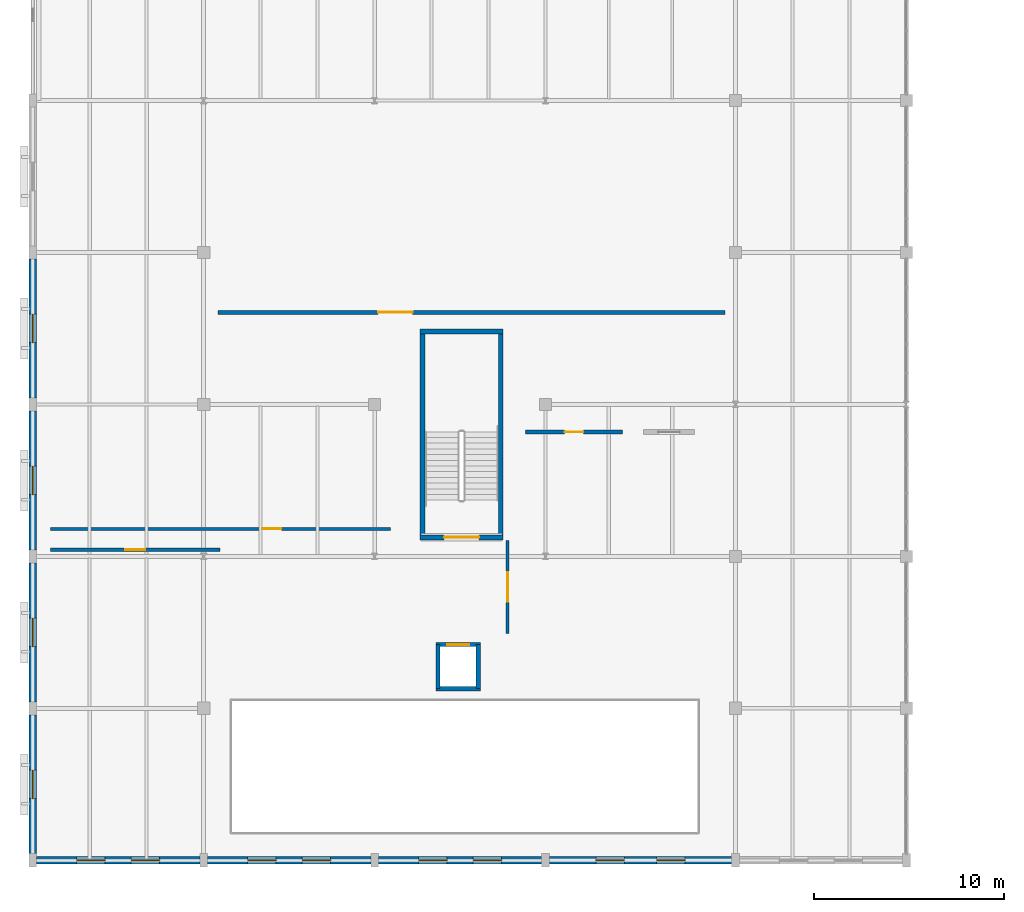
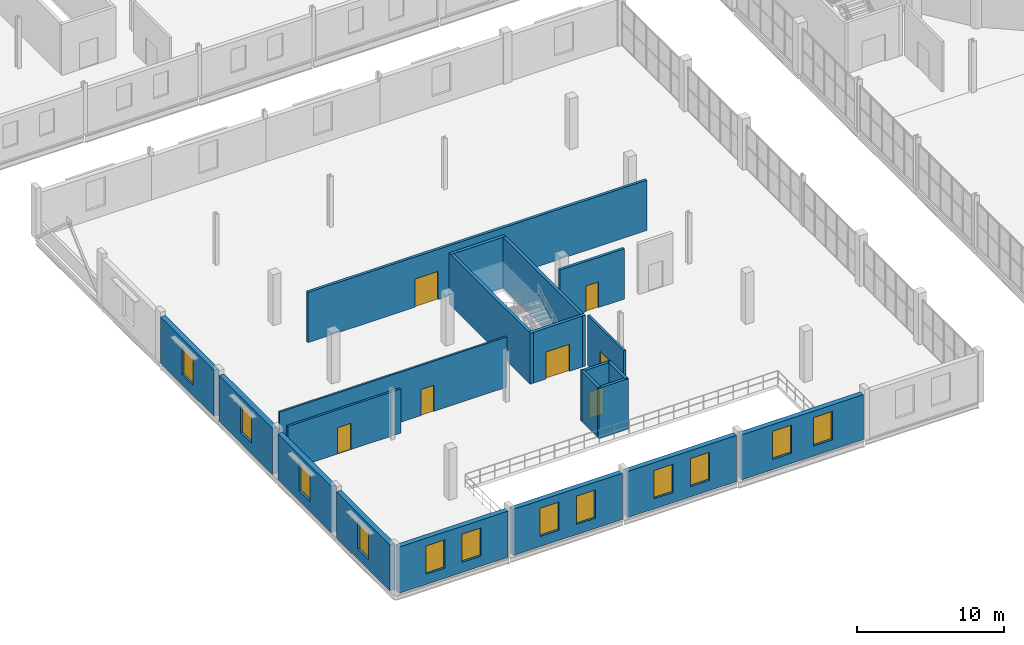
# One storey, part 61 of 85: 21 walls, 12 windows, 7 doors, 19 openings.
"""IFC4 building model written with IfcOpenShell, lengths in metres."""

from ifc_helpers import new_model, si_unit, direction, frame, frame_2d, origin, place, context, subcontext, project, spatial, rectangle, extrude, material, layer, layer_set, type_object, element, fill, save


model = new_model("IFC4")

# Units and contexts
model_context = context("Model", 3, precision=1e-05, world=origin(), true_north=direction((0.0, 1.0)))
body_context = subcontext(model_context, "Body", "Model", "MODEL_VIEW")
ifc_project = project(units=[si_unit("LENGTHUNIT", "METRE"), si_unit("AREAUNIT", "SQUARE_METRE"), si_unit("VOLUMEUNIT", "CUBIC_METRE"), si_unit("PLANEANGLEUNIT", "RADIAN"), si_unit("MASSUNIT", "GRAM", prefix="KILO")], contexts=[model_context])

# Site, building, storey
site_placement = place(None, origin())
site = spatial("IfcSite", under=ifc_project, at=site_placement, CompositionType="ELEMENT")
building_placement = place(site_placement, origin())
building = spatial("IfcBuilding", under=site, at=building_placement, Name="Marnock Terrace Opera House", CompositionType="ELEMENT")
storey_placement = place(building_placement, frame((0.0, 0.0, 10.199951171875)))
storey = spatial("IfcBuildingStorey", under=building, at=storey_placement, Name="L02", CompositionType="ELEMENT", Elevation=10.199951171875)

# Wall, openings, windows
ifc_material_1 = material(Name="Basket Range sandstone ashlar masonry", Category="masonry")
ifc_layer_1 = layer(ifc_material_1, 0.389892578125)
ifc_layer_set_1 = layer_set([ifc_layer_1], Name="Basket Range sandstone ashlar masonry")
wall_type_1 = type_object("IfcWallType", Name="EW-ASHLAR-390", PredefinedType="SOLIDWALL", material=ifc_layer_set_1)
wall_1_placement = place(storey_placement, frame((0.196044921875, 8.0, 0.0), z_axis=(0.0, 0.0, 1.0), x_axis=(1.0, 0.0, 0.0)))
wall_1 = element("IfcWall", 1, at=wall_1_placement, inside=storey, type_object=wall_type_1, Name="L02 Volume 3 south sandstone wall 1", PredefinedType="SOLIDWALL", context=body_context, shape_type="SweptSolid", body=[
    extrude(rectangle(XDim=8.60791015625, YDim=0.389892578125, at=frame_2d((4.303955078125, 0.0))), origin(), (0.0, 0.0, 1.0), 3.8515625),
])
opening_1_placement = place(wall_1_placement, frame((2.119384765625, 0.0, 0.85009765625)))
opening_1 = element("IfcOpeningElement", 2, at=opening_1_placement, cuts=wall_1, Name="Opening WT-84", PredefinedType="OPENING", context=body_context, shape_type="SweptSolid", body=[
    extrude(rectangle(XDim=1.5, YDim=2.35009765625, at=frame_2d((0.75, 1.175048828125))), frame((0.0, 0.204833984375, 0.0), z_axis=(0.0, -1.0, 0.0), x_axis=(1.0, 0.0, 0.0)), (0.0, 0.0, 1.0), 0.409912109375),
])
opening_2_placement = place(wall_1_placement, frame((4.98876953125, 0.0, 0.85009765625)))
opening_2 = element("IfcOpeningElement", 3, at=opening_2_placement, cuts=wall_1, Name="Opening WT-84", PredefinedType="OPENING", context=body_context, shape_type="SweptSolid", body=[
    extrude(rectangle(XDim=1.5, YDim=2.35009765625, at=frame_2d((0.75, 1.175048828125))), frame((0.0, 0.204833984375, 0.0), z_axis=(0.0, -1.0, 0.0), x_axis=(1.0, 0.0, 0.0)), (0.0, 0.0, 1.0), 0.409912109375),
])
ifc_material_2 = material(Name="Double-glazed acoustic low-E laminated glass", Category="glass")
window_type = type_object("IfcWindowType", Name="WT-SUITE-1500", PartitioningType="SINGLE_PANEL", PredefinedType="WINDOW", material=ifc_material_2)
window_1_placement = place(opening_1_placement, origin())
window_1 = element("IfcWindow", 4, at=window_1_placement, inside=storey, type_object=window_type, Name="L02 facade window EW-V3S-L02-1.1", OverallHeight=2.35009765625, OverallWidth=1.5, PartitioningType="SINGLE_PANEL", PredefinedType="WINDOW", context=body_context, shape_type="SweptSolid", body=[
    extrude(rectangle(XDim=1.5, YDim=2.35009765625, at=frame_2d((0.75, 1.175048828125))), frame((0.0, 0.030029296875, 0.0), z_axis=(0.0, -1.0, 0.0), x_axis=(1.0, 0.0, 0.0)), (0.0, 0.0, 1.0), 0.06005859375),
])
fill(opening_1, window_1)
window_2_placement = place(opening_2_placement, origin())
window_2 = element("IfcWindow", 5, at=window_2_placement, inside=storey, type_object=window_type, Name="L02 facade window EW-V3S-L02-1.2", OverallHeight=2.35009765625, OverallWidth=1.5, PartitioningType="SINGLE_PANEL", PredefinedType="WINDOW", context=body_context, shape_type="SweptSolid", body=[
    extrude(rectangle(XDim=1.5, YDim=2.35009765625, at=frame_2d((0.75, 1.175048828125))), frame((0.0, 0.030029296875, 0.0), z_axis=(0.0, -1.0, 0.0), x_axis=(1.0, 0.0, 0.0)), (0.0, 0.0, 1.0), 0.06005859375),
])
fill(opening_2, window_2)

wall_2_placement = place(storey_placement, frame((9.196044921875, 8.0, 0.0), z_axis=(0.0, 0.0, 1.0), x_axis=(1.0, 0.0, 0.0)))
wall_2 = element("IfcWall", 6, at=wall_2_placement, inside=storey, type_object=wall_type_1, Name="L02 Volume 3 south sandstone wall 2", PredefinedType="SOLIDWALL", context=body_context, shape_type="SweptSolid", body=[
    extrude(rectangle(XDim=8.60791015625, YDim=0.389892578125, at=frame_2d((4.303955078125, 0.0))), origin(), (0.0, 0.0, 1.0), 3.8515625),
])
opening_3_placement = place(wall_2_placement, frame((2.119384765625, 0.0, 0.85009765625)))
opening_3 = element("IfcOpeningElement", 7, at=opening_3_placement, cuts=wall_2, Name="Opening WT-84", PredefinedType="OPENING", context=body_context, shape_type="SweptSolid", body=[
    extrude(rectangle(XDim=1.5, YDim=2.35009765625, at=frame_2d((0.75, 1.175048828125))), frame((0.0, 0.204833984375, 0.0), z_axis=(0.0, -1.0, 0.0), x_axis=(1.0, 0.0, 0.0)), (0.0, 0.0, 1.0), 0.409912109375),
])
opening_4_placement = place(wall_2_placement, frame((4.98876953125, 0.0, 0.85009765625)))
opening_4 = element("IfcOpeningElement", 8, at=opening_4_placement, cuts=wall_2, Name="Opening WT-84", PredefinedType="OPENING", context=body_context, shape_type="SweptSolid", body=[
    extrude(rectangle(XDim=1.5, YDim=2.35009765625, at=frame_2d((0.75, 1.175048828125))), frame((0.0, 0.204833984375, 0.0), z_axis=(0.0, -1.0, 0.0), x_axis=(1.0, 0.0, 0.0)), (0.0, 0.0, 1.0), 0.409912109375),
])
window_3_placement = place(opening_3_placement, origin())
window_3 = element("IfcWindow", 9, at=window_3_placement, inside=storey, type_object=window_type, Name="L02 facade window EW-V3S-L02-2.1", OverallHeight=2.35009765625, OverallWidth=1.5, PartitioningType="SINGLE_PANEL", PredefinedType="WINDOW", context=body_context, shape_type="SweptSolid", body=[
    extrude(rectangle(XDim=1.5, YDim=2.35009765625, at=frame_2d((0.75, 1.175048828125))), frame((0.0, 0.030029296875, 0.0), z_axis=(0.0, -1.0, 0.0), x_axis=(1.0, 0.0, 0.0)), (0.0, 0.0, 1.0), 0.06005859375),
])
fill(opening_3, window_3)
window_4_placement = place(opening_4_placement, origin())
window_4 = element("IfcWindow", 10, at=window_4_placement, inside=storey, type_object=window_type, Name="L02 facade window EW-V3S-L02-2.2", OverallHeight=2.35009765625, OverallWidth=1.5, PartitioningType="SINGLE_PANEL", PredefinedType="WINDOW", context=body_context, shape_type="SweptSolid", body=[
    extrude(rectangle(XDim=1.5, YDim=2.35009765625, at=frame_2d((0.75, 1.175048828125))), frame((0.0, 0.030029296875, 0.0), z_axis=(0.0, -1.0, 0.0), x_axis=(1.0, 0.0, 0.0)), (0.0, 0.0, 1.0), 0.06005859375),
])
fill(opening_4, window_4)

wall_3_placement = place(storey_placement, frame((18.196044921875, 8.0, 0.0), z_axis=(0.0, 0.0, 1.0), x_axis=(1.0, 0.0, 0.0)))
wall_3 = element("IfcWall", 11, at=wall_3_placement, inside=storey, type_object=wall_type_1, Name="L02 Volume 3 south sandstone wall 3", PredefinedType="SOLIDWALL", context=body_context, shape_type="SweptSolid", body=[
    extrude(rectangle(XDim=8.60791015625, YDim=0.389892578125, at=frame_2d((4.303955078125, 0.0))), origin(), (0.0, 0.0, 1.0), 3.8515625),
])
opening_5_placement = place(wall_3_placement, frame((2.119384765625, 0.0, 0.85009765625)))
opening_5 = element("IfcOpeningElement", 12, at=opening_5_placement, cuts=wall_3, Name="Opening WT-84", PredefinedType="OPENING", context=body_context, shape_type="SweptSolid", body=[
    extrude(rectangle(XDim=1.5, YDim=2.35009765625, at=frame_2d((0.75, 1.175048828125))), frame((0.0, 0.204833984375, 0.0), z_axis=(0.0, -1.0, 0.0), x_axis=(1.0, 0.0, 0.0)), (0.0, 0.0, 1.0), 0.409912109375),
])
opening_6_placement = place(wall_3_placement, frame((4.98876953125, 0.0, 0.85009765625)))
opening_6 = element("IfcOpeningElement", 13, at=opening_6_placement, cuts=wall_3, Name="Opening WT-84", PredefinedType="OPENING", context=body_context, shape_type="SweptSolid", body=[
    extrude(rectangle(XDim=1.5, YDim=2.35009765625, at=frame_2d((0.75, 1.175048828125))), frame((0.0, 0.204833984375, 0.0), z_axis=(0.0, -1.0, 0.0), x_axis=(1.0, 0.0, 0.0)), (0.0, 0.0, 1.0), 0.409912109375),
])
window_5_placement = place(opening_5_placement, origin())
window_5 = element("IfcWindow", 14, at=window_5_placement, inside=storey, type_object=window_type, Name="L02 facade window EW-V3S-L02-3.1", OverallHeight=2.35009765625, OverallWidth=1.5, PartitioningType="SINGLE_PANEL", PredefinedType="WINDOW", context=body_context, shape_type="SweptSolid", body=[
    extrude(rectangle(XDim=1.5, YDim=2.35009765625, at=frame_2d((0.75, 1.175048828125))), frame((0.0, 0.030029296875, 0.0), z_axis=(0.0, -1.0, 0.0), x_axis=(1.0, 0.0, 0.0)), (0.0, 0.0, 1.0), 0.06005859375),
])
fill(opening_5, window_5)
window_6_placement = place(opening_6_placement, origin())
window_6 = element("IfcWindow", 15, at=window_6_placement, inside=storey, type_object=window_type, Name="L02 facade window EW-V3S-L02-3.2", OverallHeight=2.35009765625, OverallWidth=1.5, PartitioningType="SINGLE_PANEL", PredefinedType="WINDOW", context=body_context, shape_type="SweptSolid", body=[
    extrude(rectangle(XDim=1.5, YDim=2.35009765625, at=frame_2d((0.75, 1.175048828125))), frame((0.0, 0.030029296875, 0.0), z_axis=(0.0, -1.0, 0.0), x_axis=(1.0, 0.0, 0.0)), (0.0, 0.0, 1.0), 0.06005859375),
])
fill(opening_6, window_6)

wall_4_placement = place(storey_placement, frame((27.196044921875, 8.0, 0.0), z_axis=(0.0, 0.0, 1.0), x_axis=(1.0, 0.0, 0.0)))
wall_4 = element("IfcWall", 16, at=wall_4_placement, inside=storey, type_object=wall_type_1, Name="L02 Volume 3 south sandstone wall 4", PredefinedType="SOLIDWALL", context=body_context, shape_type="SweptSolid", body=[
    extrude(rectangle(XDim=9.60791015625, YDim=0.389892578125, at=frame_2d((4.803955078125, 0.0))), origin(), (0.0, 0.0, 1.0), 3.749755859375),
])
opening_7_placement = place(wall_4_placement, frame((2.45263671875, 0.0, 0.85009765625)))
opening_7 = element("IfcOpeningElement", 17, at=opening_7_placement, cuts=wall_4, Name="Opening WT-84", PredefinedType="OPENING", context=body_context, shape_type="SweptSolid", body=[
    extrude(rectangle(XDim=1.5, YDim=2.35009765625, at=frame_2d((0.75, 1.175048828125))), frame((0.0, 0.204833984375, 0.0), z_axis=(0.0, -1.0, 0.0), x_axis=(1.0, 0.0, 0.0)), (0.0, 0.0, 1.0), 0.409912109375),
])
opening_8_placement = place(wall_4_placement, frame((5.6552734375, 0.0, 0.85009765625)))
opening_8 = element("IfcOpeningElement", 18, at=opening_8_placement, cuts=wall_4, Name="Opening WT-84", PredefinedType="OPENING", context=body_context, shape_type="SweptSolid", body=[
    extrude(rectangle(XDim=1.5, YDim=2.35009765625, at=frame_2d((0.75, 1.175048828125))), frame((0.0, 0.204833984375, 0.0), z_axis=(0.0, -1.0, 0.0), x_axis=(1.0, 0.0, 0.0)), (0.0, 0.0, 1.0), 0.409912109375),
])
window_7_placement = place(opening_7_placement, origin())
window_7 = element("IfcWindow", 19, at=window_7_placement, inside=storey, type_object=window_type, Name="L02 facade window EW-V3S-L02-4.1", OverallHeight=2.35009765625, OverallWidth=1.5, PartitioningType="SINGLE_PANEL", PredefinedType="WINDOW", context=body_context, shape_type="SweptSolid", body=[
    extrude(rectangle(XDim=1.5, YDim=2.35009765625, at=frame_2d((0.75, 1.175048828125))), frame((0.0, 0.030029296875, 0.0), z_axis=(0.0, -1.0, 0.0), x_axis=(1.0, 0.0, 0.0)), (0.0, 0.0, 1.0), 0.06005859375),
])
fill(opening_7, window_7)
window_8_placement = place(opening_8_placement, origin())
window_8 = element("IfcWindow", 20, at=window_8_placement, inside=storey, type_object=window_type, Name="L02 facade window EW-V3S-L02-4.2", OverallHeight=2.35009765625, OverallWidth=1.5, PartitioningType="SINGLE_PANEL", PredefinedType="WINDOW", context=body_context, shape_type="SweptSolid", body=[
    extrude(rectangle(XDim=1.5, YDim=2.35009765625, at=frame_2d((0.75, 1.175048828125))), frame((0.0, 0.030029296875, 0.0), z_axis=(0.0, -1.0, 0.0), x_axis=(1.0, 0.0, 0.0)), (0.0, 0.0, 1.0), 0.06005859375),
])
fill(opening_8, window_8)

# Wall, opening, window
wall_5_placement = place(storey_placement, frame((0.0, 8.345947265625, 0.0), z_axis=(0.0, 0.0, 1.0), x_axis=(0.0, 1.0, 0.0)))
wall_5 = element("IfcWall", 21, at=wall_5_placement, inside=storey, type_object=wall_type_1, Name="L02 Volume 3 west sandstone wall 1", PredefinedType="SOLIDWALL", context=body_context, shape_type="SweptSolid", body=[
    extrude(rectangle(XDim=7.30810546875, YDim=0.389892578125, at=frame_2d((3.654052734375, 0.0))), origin(), (0.0, 0.0, 1.0), 3.8515625),
])
opening_9_placement = place(wall_5_placement, frame((2.904052734375, 0.0, 0.85009765625)))
opening_9 = element("IfcOpeningElement", 22, at=opening_9_placement, cuts=wall_5, Name="Opening WT-84", PredefinedType="OPENING", context=body_context, shape_type="SweptSolid", body=[
    extrude(rectangle(XDim=1.5, YDim=2.35009765625, at=frame_2d((0.75, 1.175048828125))), frame((0.0, 0.204833984375, 0.0), z_axis=(0.0, -1.0, 0.0), x_axis=(1.0, 0.0, 0.0)), (0.0, 0.0, 1.0), 0.409912109375),
])
window_9_placement = place(opening_9_placement, origin())
window_9 = element("IfcWindow", 23, at=window_9_placement, inside=storey, type_object=window_type, Name="L02 facade window EW-V3W-L02-1.1", OverallHeight=2.35009765625, OverallWidth=1.5, PartitioningType="SINGLE_PANEL", PredefinedType="WINDOW", context=body_context, shape_type="SweptSolid", body=[
    extrude(rectangle(XDim=1.5, YDim=2.35009765625, at=frame_2d((0.75, 1.175048828125))), frame((0.0, 0.030029296875, 0.0), z_axis=(0.0, -1.0, 0.0), x_axis=(1.0, 0.0, 0.0)), (0.0, 0.0, 1.0), 0.06005859375),
])
fill(opening_9, window_9)

wall_6_placement = place(storey_placement, frame((0.0, 16.345947265625, 0.0), z_axis=(0.0, 0.0, 1.0), x_axis=(0.0, 1.0, 0.0)))
wall_6 = element("IfcWall", 24, at=wall_6_placement, inside=storey, type_object=wall_type_1, Name="L02 Volume 3 west sandstone wall 2", PredefinedType="SOLIDWALL", context=body_context, shape_type="SweptSolid", body=[
    extrude(rectangle(XDim=7.30810546875, YDim=0.389892578125, at=frame_2d((3.654052734375, 0.0))), origin(), (0.0, 0.0, 1.0), 3.8515625),
])
opening_10_placement = place(wall_6_placement, frame((2.904052734375, 0.0, 0.85009765625)))
opening_10 = element("IfcOpeningElement", 25, at=opening_10_placement, cuts=wall_6, Name="Opening WT-84", PredefinedType="OPENING", context=body_context, shape_type="SweptSolid", body=[
    extrude(rectangle(XDim=1.5, YDim=2.35009765625, at=frame_2d((0.75, 1.175048828125))), frame((0.0, 0.204833984375, 0.0), z_axis=(0.0, -1.0, 0.0), x_axis=(1.0, 0.0, 0.0)), (0.0, 0.0, 1.0), 0.409912109375),
])
window_10_placement = place(opening_10_placement, origin())
window_10 = element("IfcWindow", 26, at=window_10_placement, inside=storey, type_object=window_type, Name="L02 facade window EW-V3W-L02-2.1", OverallHeight=2.35009765625, OverallWidth=1.5, PartitioningType="SINGLE_PANEL", PredefinedType="WINDOW", context=body_context, shape_type="SweptSolid", body=[
    extrude(rectangle(XDim=1.5, YDim=2.35009765625, at=frame_2d((0.75, 1.175048828125))), frame((0.0, 0.030029296875, 0.0), z_axis=(0.0, -1.0, 0.0), x_axis=(1.0, 0.0, 0.0)), (0.0, 0.0, 1.0), 0.06005859375),
])
fill(opening_10, window_10)

wall_7_placement = place(storey_placement, frame((0.0, 24.345947265625, 0.0), z_axis=(0.0, 0.0, 1.0), x_axis=(0.0, 1.0, 0.0)))
wall_7 = element("IfcWall", 27, at=wall_7_placement, inside=storey, type_object=wall_type_1, Name="L02 Volume 3 west sandstone wall 3", PredefinedType="SOLIDWALL", context=body_context, shape_type="SweptSolid", body=[
    extrude(rectangle(XDim=7.30810546875, YDim=0.389892578125, at=frame_2d((3.654052734375, 0.0))), origin(), (0.0, 0.0, 1.0), 3.8515625),
])
opening_11_placement = place(wall_7_placement, frame((2.904052734375, 0.0, 0.85009765625)))
opening_11 = element("IfcOpeningElement", 28, at=opening_11_placement, cuts=wall_7, Name="Opening WT-84", PredefinedType="OPENING", context=body_context, shape_type="SweptSolid", body=[
    extrude(rectangle(XDim=1.5, YDim=2.35009765625, at=frame_2d((0.75, 1.175048828125))), frame((0.0, 0.204833984375, 0.0), z_axis=(0.0, -1.0, 0.0), x_axis=(1.0, 0.0, 0.0)), (0.0, 0.0, 1.0), 0.409912109375),
])
window_11_placement = place(opening_11_placement, origin())
window_11 = element("IfcWindow", 29, at=window_11_placement, inside=storey, type_object=window_type, Name="L02 facade window EW-V3W-L02-3.1", OverallHeight=2.35009765625, OverallWidth=1.5, PartitioningType="SINGLE_PANEL", PredefinedType="WINDOW", context=body_context, shape_type="SweptSolid", body=[
    extrude(rectangle(XDim=1.5, YDim=2.35009765625, at=frame_2d((0.75, 1.175048828125))), frame((0.0, 0.030029296875, 0.0), z_axis=(0.0, -1.0, 0.0), x_axis=(1.0, 0.0, 0.0)), (0.0, 0.0, 1.0), 0.06005859375),
])
fill(opening_11, window_11)

wall_8_placement = place(storey_placement, frame((0.0, 32.345947265625, 0.0), z_axis=(0.0, 0.0, 1.0), x_axis=(0.0, 1.0, 0.0)))
wall_8 = element("IfcWall", 30, at=wall_8_placement, inside=storey, type_object=wall_type_1, Name="L02 Volume 3 west sandstone wall 4", PredefinedType="SOLIDWALL", context=body_context, shape_type="SweptSolid", body=[
    extrude(rectangle(XDim=7.30810546875, YDim=0.389892578125, at=frame_2d((3.654052734375, 0.0))), origin(), (0.0, 0.0, 1.0), 3.8515625),
])
opening_12_placement = place(wall_8_placement, frame((2.904052734375, 0.0, 0.85009765625)))
opening_12 = element("IfcOpeningElement", 31, at=opening_12_placement, cuts=wall_8, Name="Opening WT-84", PredefinedType="OPENING", context=body_context, shape_type="SweptSolid", body=[
    extrude(rectangle(XDim=1.5, YDim=2.35009765625, at=frame_2d((0.75, 1.175048828125))), frame((0.0, 0.204833984375, 0.0), z_axis=(0.0, -1.0, 0.0), x_axis=(1.0, 0.0, 0.0)), (0.0, 0.0, 1.0), 0.409912109375),
])
window_12_placement = place(opening_12_placement, origin())
window_12 = element("IfcWindow", 32, at=window_12_placement, inside=storey, type_object=window_type, Name="L02 facade window EW-V3W-L02-4.1", OverallHeight=2.35009765625, OverallWidth=1.5, PartitioningType="SINGLE_PANEL", PredefinedType="WINDOW", context=body_context, shape_type="SweptSolid", body=[
    extrude(rectangle(XDim=1.5, YDim=2.35009765625, at=frame_2d((0.75, 1.175048828125))), frame((0.0, 0.030029296875, 0.0), z_axis=(0.0, -1.0, 0.0), x_axis=(1.0, 0.0, 0.0)), (0.0, 0.0, 1.0), 0.06005859375),
])
fill(opening_12, window_12)

# Wall, opening, door
ifc_material_3 = material(Name="Double-stud acoustic plasterboard with mineral-wool infill")
ifc_layer_2 = layer(ifc_material_3, 0.2099609375)
ifc_layer_set_2 = layer_set([ifc_layer_2], Name="Double-stud acoustic plasterboard with mineral-wool infill")
wall_type_2 = type_object("IfcWallType", Name="IW-ACOUSTIC-210", PredefinedType="PARTITIONING", material=ifc_layer_set_2)
wall_9_placement = place(storey_placement, frame((9.75, 36.85009765625, 0.0), z_axis=(0.0, 0.0, 1.0), x_axis=(1.0, 0.0, 0.0)))
wall_9 = element("IfcWall", 33, at=wall_9_placement, inside=storey, type_object=wall_type_2, Name="L02 Chorus Rehearsal Room acoustic partition wall", PredefinedType="PARTITIONING", context=body_context, shape_type="SweptSolid", body=[
    extrude(rectangle(XDim=26.699951171875, YDim=0.2099609375, at=frame_2d((13.35009765625, 0.0))), origin(), (0.0, 0.0, 1.0), 4.18994140625),
])
opening_13_placement = place(wall_9_placement, frame((8.43505859375, 0.0, 0.0)))
opening_13 = element("IfcOpeningElement", 34, at=opening_13_placement, cuts=wall_9, Name="Opening D-L02-10", PredefinedType="OPENING", context=body_context, shape_type="SweptSolid", body=[
    extrude(rectangle(XDim=1.820068359375, YDim=2.35009765625, at=frame_2d((0.91015625, 1.175048828125))), frame((0.0, 0.114990234375, 0.0), z_axis=(0.0, -1.0, 0.0), x_axis=(1.0, 0.0, 0.0)), (0.0, 0.0, 1.0), 0.22998046875),
])
ifc_material_4 = material(Name="Solid-core Tasmanian oak acoustic door leaf")
door_type_1 = type_object("IfcDoorType", Name="DT-REHEARS-1820", OperationType="NOTDEFINED", PredefinedType="DOOR", material=ifc_material_4)
door_1_placement = place(opening_13_placement, origin())
door_1 = element("IfcDoor", 35, at=door_1_placement, inside=storey, type_object=door_type_1, Name="L02 Chorus Rehearsal Room entrance door", OperationType="DOUBLE_DOOR_SINGLE_SWING", OverallHeight=2.35009765625, OverallWidth=1.820068359375, PredefinedType="DOOR", context=body_context, shape_type="SweptSolid", body=[
    extrude(rectangle(XDim=1.820068359375, YDim=2.35009765625, at=frame_2d((0.91015625, 1.175048828125))), frame((0.0, 0.02490234375, 0.0), z_axis=(0.0, -1.0, 0.0), x_axis=(1.0, 0.0, 0.0)), (0.0, 0.0, 1.0), 0.050048828125),
])
fill(opening_13, door_1)

ifc_material_5 = material(Name="Rendered acoustic concrete blockwork", Category="masonry")
ifc_layer_3 = layer(ifc_material_5, 0.175048828125)
ifc_layer_set_3 = layer_set([ifc_layer_3], Name="Rendered acoustic concrete blockwork")
wall_type_3 = type_object("IfcWallType", Name="IW-FIRE-175", PredefinedType="PARTITIONING", material=ifc_layer_set_3)
wall_10_placement = place(storey_placement, frame((25.0, 19.949951171875, 0.0), z_axis=(0.0, 0.0, 1.0), x_axis=(0.0, 1.0, 0.0)))
wall_10 = element("IfcWall", 36, at=wall_10_placement, inside=storey, type_object=wall_type_3, Name="L02 C5 fire-rated lift and stair lobby wall", PredefinedType="PARTITIONING", context=body_context, shape_type="SweptSolid", body=[
    extrude(rectangle(XDim=4.900146484375, YDim=0.175048828125, at=frame_2d((2.4501953125, 0.0))), origin(), (0.0, 0.0, 1.0), 4.18994140625),
])
opening_14_placement = place(wall_10_placement, frame((1.675048828125, 0.0, 0.0)))
opening_14 = element("IfcOpeningElement", 37, at=opening_14_placement, cuts=wall_10, Name="Opening FD-C5-L02", PredefinedType="OPENING", context=body_context, shape_type="SweptSolid", body=[
    extrude(rectangle(XDim=1.550048828125, YDim=2.219970703125, at=frame_2d((0.77490234375, 1.10986328125))), frame((0.0, 0.097412109375, 0.0), z_axis=(0.0, -1.0, 0.0), x_axis=(1.0, 0.0, 0.0)), (0.0, 0.0, 1.0), 0.195068359375),
])
ifc_material_6 = material(Name="Fire-rated acoustic timber-core door assembly", Category="wood")
door_type_2 = type_object("IfcDoorType", Name="DT-LOBBY-1550", OperationType="NOTDEFINED", PredefinedType="DOOR", material=ifc_material_6)
door_2_placement = place(opening_14_placement, origin())
door_2 = element("IfcDoor", 38, at=door_2_placement, inside=storey, type_object=door_type_2, Name="L02 C5 lobby self-closing smoke door", OperationType="SINGLE_SWING_RIGHT", OverallHeight=2.219970703125, OverallWidth=1.550048828125, PredefinedType="DOOR", context=body_context, shape_type="SweptSolid", body=[
    extrude(rectangle(XDim=1.550048828125, YDim=2.219970703125, at=frame_2d((0.77490234375, 1.10986328125))), frame((0.0, 0.02490234375, 0.0), z_axis=(0.0, -1.0, 0.0), x_axis=(1.0, 0.0, 0.0)), (0.0, 0.0, 1.0), 0.050048828125),
])
fill(opening_14, door_2)

ifc_material_7 = material(Name="Motorised aluminium-framed acoustic operable partition", Category="aluminium")
ifc_layer_4 = layer(ifc_material_7, 0.152099609375)
ifc_layer_set_4 = layer_set([ifc_layer_4], Name="Motorised aluminium-framed acoustic operable partition")
wall_type_4 = type_object("IfcWallType", Name="IW-MOVABLE-152", PredefinedType="MOVABLE", material=ifc_layer_set_4)
wall_11_placement = place(storey_placement, frame((0.949951171875, 25.449951171875, 0.0), z_axis=(0.0, 0.0, 1.0), x_axis=(1.0, 0.0, 0.0)))
wall_11 = element("IfcWall", 39, at=wall_11_placement, inside=storey, type_object=wall_type_4, Name="L02 Vocal Coaching Room 02 acoustic partition wall", PredefinedType="MOVABLE", context=body_context, shape_type="SweptSolid", body=[
    extrude(rectangle(XDim=17.900146484375, YDim=0.152099609375, at=frame_2d((8.9501953125, 0.0))), origin(), (0.0, 0.0, 1.0), 4.18994140625),
])
opening_15_placement = place(wall_11_placement, frame((11.125, 0.0, 0.0)))
opening_15 = element("IfcOpeningElement", 40, at=opening_15_placement, cuts=wall_11, Name="Opening D-L02-12", PredefinedType="OPENING", context=body_context, shape_type="SweptSolid", body=[
    extrude(rectangle(XDim=1.02001953125, YDim=2.179931640625, at=frame_2d((0.510009765625, 1.08984375))), frame((0.0, 0.0859375, 0.0), z_axis=(0.0, -1.0, 0.0), x_axis=(1.0, 0.0, 0.0)), (0.0, 0.0, 1.0), 0.172119140625),
])
door_type_3 = type_object("IfcDoorType", Name="DT-SUITE-1020", OperationType="NOTDEFINED", PredefinedType="DOOR", material=ifc_material_4)
door_3_placement = place(opening_15_placement, origin())
door_3 = element("IfcDoor", 41, at=door_3_placement, inside=storey, type_object=door_type_3, Name="L02 Vocal Coaching Room 02 entrance door", OperationType="SINGLE_SWING_RIGHT", OverallHeight=2.179931640625, OverallWidth=1.02001953125, PredefinedType="DOOR", context=body_context, shape_type="SweptSolid", body=[
    extrude(rectangle(XDim=1.02001953125, YDim=2.179931640625, at=frame_2d((0.510009765625, 1.08984375))), frame((0.0, 0.02490234375, 0.0), z_axis=(0.0, -1.0, 0.0), x_axis=(1.0, 0.0, 0.0)), (0.0, 0.0, 1.0), 0.050048828125),
])
fill(opening_15, door_3)

ifc_layer_5 = layer(ifc_material_7, 0.169921875)
ifc_layer_set_5 = layer_set([ifc_layer_5], Name="Motorised aluminium-framed acoustic operable partition")
wall_type_5 = type_object("IfcWallType", Name="IW-MOVABLE-170", PredefinedType="MOVABLE", material=ifc_layer_set_5)
wall_12_placement = place(storey_placement, frame((0.949951171875, 24.35009765625, 0.0), z_axis=(0.0, 0.0, 1.0), x_axis=(1.0, 0.0, 0.0)))
wall_12 = element("IfcWall", 42, at=wall_12_placement, inside=storey, type_object=wall_type_5, Name="L02 Vocal Coaching Room 01 acoustic partition wall", PredefinedType="MOVABLE", context=body_context, shape_type="SweptSolid", body=[
    extrude(rectangle(XDim=8.900146484375, YDim=0.169921875, at=frame_2d((4.4501953125, 0.0))), origin(), (0.0, 0.0, 1.0), 3.677001953125),
])
opening_16_placement = place(wall_12_placement, frame((3.919921875, 0.0, 0.0)))
opening_16 = element("IfcOpeningElement", 43, at=opening_16_placement, cuts=wall_12, Name="Opening D-L02-11", PredefinedType="OPENING", context=body_context, shape_type="SweptSolid", body=[
    extrude(rectangle(XDim=1.06005859375, YDim=2.199951171875, at=frame_2d((0.530029296875, 1.10009765625))), frame((0.0, 0.094970703125, 0.0), z_axis=(0.0, -1.0, 0.0), x_axis=(1.0, 0.0, 0.0)), (0.0, 0.0, 1.0), 0.18994140625),
])
door_type_4 = type_object("IfcDoorType", Name="DT-SUITE-1060", OperationType="NOTDEFINED", PredefinedType="DOOR", material=ifc_material_4)
door_4_placement = place(opening_16_placement, origin())
door_4 = element("IfcDoor", 44, at=door_4_placement, inside=storey, type_object=door_type_4, Name="L02 Vocal Coaching Room 01 entrance door", OperationType="SINGLE_SWING_LEFT", OverallHeight=2.199951171875, OverallWidth=1.06005859375, PredefinedType="DOOR", context=body_context, shape_type="SweptSolid", body=[
    extrude(rectangle(XDim=1.06005859375, YDim=2.199951171875, at=frame_2d((0.530029296875, 1.10009765625))), frame((0.0, 0.02490234375, 0.0), z_axis=(0.0, -1.0, 0.0), x_axis=(1.0, 0.0, 0.0)), (0.0, 0.0, 1.0), 0.050048828125),
])
fill(opening_16, door_4)

ifc_material_8 = material(Name="Moisture-resistant tiled service duct framing")
ifc_layer_6 = layer(ifc_material_8, 0.205078125)
ifc_layer_set_6 = layer_set([ifc_layer_6], Name="Moisture-resistant tiled service duct framing")
wall_type_6 = type_object("IfcWallType", Name="IW-PLUMB-205", PredefinedType="PLUMBINGWALL", material=ifc_layer_set_6)
wall_13_placement = place(storey_placement, frame((25.949951171875, 30.550048828125, 0.0), z_axis=(0.0, 0.0, 1.0), x_axis=(1.0, 0.0, 0.0)))
wall_13 = element("IfcWall", 45, at=wall_13_placement, inside=storey, type_object=wall_type_6, Name="L02 Public WC L02 West acoustic partition wall", PredefinedType="PLUMBINGWALL", context=body_context, shape_type="SweptSolid", body=[
    extrude(rectangle(XDim=5.10009765625, YDim=0.205078125, at=frame_2d((2.550048828125, 0.0))), origin(), (0.0, 0.0, 1.0), 4.18994140625),
])
opening_17_placement = place(wall_13_placement, frame((2.06005859375, 0.0, 0.0)))
opening_17 = element("IfcOpeningElement", 46, at=opening_17_placement, cuts=wall_13, Name="Opening D-L02-24", PredefinedType="OPENING", context=body_context, shape_type="SweptSolid", body=[
    extrude(rectangle(XDim=0.97998046875, YDim=2.139892578125, at=frame_2d((0.489990234375, 1.06982421875))), frame((0.0, 0.112548828125, 0.0), z_axis=(0.0, -1.0, 0.0), x_axis=(1.0, 0.0, 0.0)), (0.0, 0.0, 1.0), 0.22509765625),
])
door_type_5 = type_object("IfcDoorType", Name="DT-WC-980", OperationType="NOTDEFINED", PredefinedType="DOOR", material=ifc_material_4)
door_5_placement = place(opening_17_placement, origin())
door_5 = element("IfcDoor", 47, at=door_5_placement, inside=storey, type_object=door_type_5, Name="L02 Public WC L02 West entrance door", OperationType="SINGLE_SWING_RIGHT", OverallHeight=2.139892578125, OverallWidth=0.97998046875, PredefinedType="DOOR", context=body_context, shape_type="SweptSolid", body=[
    extrude(rectangle(XDim=0.97998046875, YDim=2.139892578125, at=frame_2d((0.489990234375, 1.06982421875))), frame((0.0, 0.02490234375, 0.0), z_axis=(0.0, -1.0, 0.0), x_axis=(1.0, 0.0, 0.0)), (0.0, 0.0, 1.0), 0.050048828125),
])
fill(opening_17, door_5)

ifc_layer_7 = layer(ifc_material_5, 0.22509765625)
ifc_layer_set_7 = layer_set([ifc_layer_7], Name="Rendered acoustic concrete blockwork")
wall_type_7 = type_object("IfcWallType", Name="IW-SHAFT-225", PredefinedType="SOLIDWALL", material=ifc_layer_set_7)
wall_14_placement = place(storey_placement, frame((21.2275390625, 19.360107421875, 0.0), z_axis=(0.0, 0.0, 1.0), x_axis=(1.0, 0.0, 0.0)))
wall_14 = element("IfcWall", 48, at=wall_14_placement, inside=storey, type_object=wall_type_7, Name="L02 Lift PL-05 front shaft wall", PredefinedType="SOLIDWALL", context=body_context, shape_type="SweptSolid", body=[
    extrude(rectangle(XDim=2.344970703125, YDim=0.22509765625, at=frame_2d((1.17236328125, 0.0))), origin(), (0.0, 0.0, 1.0), 4.18994140625),
])
opening_18_placement = place(wall_14_placement, frame((0.597412109375, 0.0, 0.0)))
opening_18 = element("IfcOpeningElement", 49, at=opening_18_placement, cuts=wall_14, Name="Opening LD-PL-05-L02", PredefinedType="OPENING", context=body_context, shape_type="SweptSolid", body=[
    extrude(rectangle(XDim=1.14990234375, YDim=2.199951171875, at=frame_2d((0.574951171875, 1.10009765625))), frame((0.0, 0.12255859375, 0.0), z_axis=(0.0, -1.0, 0.0), x_axis=(1.0, 0.0, 0.0)), (0.0, 0.0, 1.0), 0.2451171875),
])
ifc_material_9 = material(Name="Brushed stainless steel landing door assembly", Category="steel")
door_type_6 = type_object("IfcDoorType", Name="DT-LIFT-1150", OperationType="NOTDEFINED", PredefinedType="DOOR", material=ifc_material_9)
door_6_placement = place(opening_18_placement, origin())
door_6 = element("IfcDoor", 50, at=door_6_placement, inside=storey, type_object=door_type_6, Name="L02 Lift PL-05 sliding landing door", OperationType="DOUBLE_DOOR_SLIDING", OverallHeight=2.199951171875, OverallWidth=1.14990234375, PredefinedType="DOOR", context=body_context, shape_type="SweptSolid", body=[
    extrude(rectangle(XDim=1.14990234375, YDim=2.199951171875, at=frame_2d((0.574951171875, 1.10009765625))), frame((0.0, 0.02490234375, 0.0), z_axis=(0.0, -1.0, 0.0), x_axis=(1.0, 0.0, 0.0)), (0.0, 0.0, 1.0), 0.050048828125),
])
fill(opening_18, door_6)

# Walls
wall_15_placement = place(storey_placement, frame((21.2275390625, 17.0400390625, 0.0), z_axis=(0.0, 0.0, 1.0), x_axis=(1.0, 0.0, 0.0)))
element("IfcWall", 51, at=wall_15_placement, inside=storey, type_object=wall_type_7, Name="L02 Lift PL-05 rear shaft wall", PredefinedType="SOLIDWALL", context=body_context, shape_type="SweptSolid", body=[
    extrude(rectangle(XDim=2.344970703125, YDim=0.22509765625, at=frame_2d((1.17236328125, 0.0))), origin(), (0.0, 0.0, 1.0), 4.18994140625),
])
for number, where, z_axis, x_axis, name in (
    (52, (21.340087890625, 17.0400390625, 0.0), (0.0, 0.0, 1.0), (0.0, 1.0, 0.0), "L02 Lift PL-05 west shaft wall"),
    (53, (23.4599609375, 17.0400390625, 0.0), (0.0, 0.0, 1.0), (0.0, 1.0, 0.0), "L02 Lift PL-05 east shaft wall"),
):
    element("IfcWall", number, at=place(storey_placement, frame(where, z_axis=z_axis, x_axis=x_axis)), inside=storey, type_object=wall_type_7, Name=name, PredefinedType="SOLIDWALL", context=body_context, shape_type="SweptSolid", body=[
        extrude(rectangle(XDim=2.320068359375, YDim=0.22509765625, at=frame_2d((1.16015625, 0.0))), origin(), (0.0, 0.0, 1.0), 4.18994140625),
    ])

# Wall, opening, door
ifc_material_10 = material(Name="Concrete N40 (f'c = 40 MPa)", Category="concrete")
ifc_layer_8 = layer(ifc_material_10, 0.25)
ifc_layer_set_8 = layer_set([ifc_layer_8], Name="Concrete N40 (f'c = 40 MPa)")
wall_type_8 = type_object("IfcWallType", Name="SW-CORE-250", PredefinedType="SHEAR", material=ifc_layer_set_8)
wall_16_placement = place(storey_placement, frame((20.39501953125, 25.0, 0.0), z_axis=(0.0, 0.0, 1.0), x_axis=(1.0, 0.0, 0.0)))
wall_16 = element("IfcWall", 54, at=wall_16_placement, inside=storey, type_object=wall_type_8, Name="L02 Core C5 FRL 120/120/120 shear wall S", PredefinedType="SHEAR", context=body_context, shape_type="SweptSolid", body=[
    extrude(rectangle(XDim=4.369873046875, YDim=0.25, at=frame_2d((2.18505859375, 0.0))), origin(), (0.0, 0.0, 1.0), 4.239990234375),
])
opening_19_placement = place(wall_16_placement, frame((1.260009765625, 0.0, 0.0)))
opening_19 = element("IfcOpeningElement", 55, at=opening_19_placement, cuts=wall_16, Name="Opening SD-C5-L02", PredefinedType="OPENING", context=body_context, shape_type="SweptSolid", body=[
    extrude(rectangle(XDim=1.85009765625, YDim=2.25, at=frame_2d((0.925048828125, 1.125))), frame((0.0, 0.135009765625, 0.0), z_axis=(0.0, -1.0, 0.0), x_axis=(1.0, 0.0, 0.0)), (0.0, 0.0, 1.0), 0.27001953125),
])
door_type_7 = type_object("IfcDoorType", Name="DT-STAIR-1850", OperationType="NOTDEFINED", PredefinedType="DOOR", material=ifc_material_6)
door_7_placement = place(opening_19_placement, origin())
door_7 = element("IfcDoor", 56, at=door_7_placement, inside=storey, type_object=door_type_7, Name="L02 Stair ST-05 fire-isolated exit door", OperationType="SINGLE_SWING_LEFT", OverallHeight=2.25, OverallWidth=1.85009765625, PredefinedType="DOOR", context=body_context, shape_type="SweptSolid", body=[
    extrude(rectangle(XDim=1.85009765625, YDim=2.25, at=frame_2d((0.925048828125, 1.125))), frame((0.0, 0.02490234375, 0.0), z_axis=(0.0, -1.0, 0.0), x_axis=(1.0, 0.0, 0.0)), (0.0, 0.0, 1.0), 0.050048828125),
])
fill(opening_19, door_7)

# Walls
wall_17_placement = place(storey_placement, frame((20.39501953125, 35.840087890625, 0.0), z_axis=(0.0, 0.0, 1.0), x_axis=(1.0, 0.0, 0.0)))
element("IfcWall", 57, at=wall_17_placement, inside=storey, type_object=wall_type_8, Name="L02 Core C5 FRL 120/120/120 shear wall N", PredefinedType="SHEAR", context=body_context, shape_type="SweptSolid", body=[
    extrude(rectangle(XDim=4.369873046875, YDim=0.25, at=frame_2d((2.18505859375, 0.0))), origin(), (0.0, 0.0, 1.0), 4.239990234375),
])
for number, where, z_axis, x_axis, name in (
    (58, (20.52001953125, 24.875, 0.0), (0.0, 0.0, 1.0), (0.0, 1.0, 0.0), "L02 Core C5 FRL 120/120/120 shear wall W"),
    (59, (24.639892578125, 24.875, 0.0), (0.0, 0.0, 1.0), (0.0, 1.0, 0.0), "L02 Core C5 FRL 120/120/120 shear wall E"),
):
    element("IfcWall", number, at=place(storey_placement, frame(where, z_axis=z_axis, x_axis=x_axis)), inside=storey, type_object=wall_type_8, Name=name, PredefinedType="SHEAR", context=body_context, shape_type="SweptSolid", body=[
        extrude(rectangle(XDim=11.090087890625, YDim=0.25, at=frame_2d((5.544921875, 0.0))), origin(), (0.0, 0.0, 1.0), 4.239990234375),
    ])

save(model, "model.ifc")
